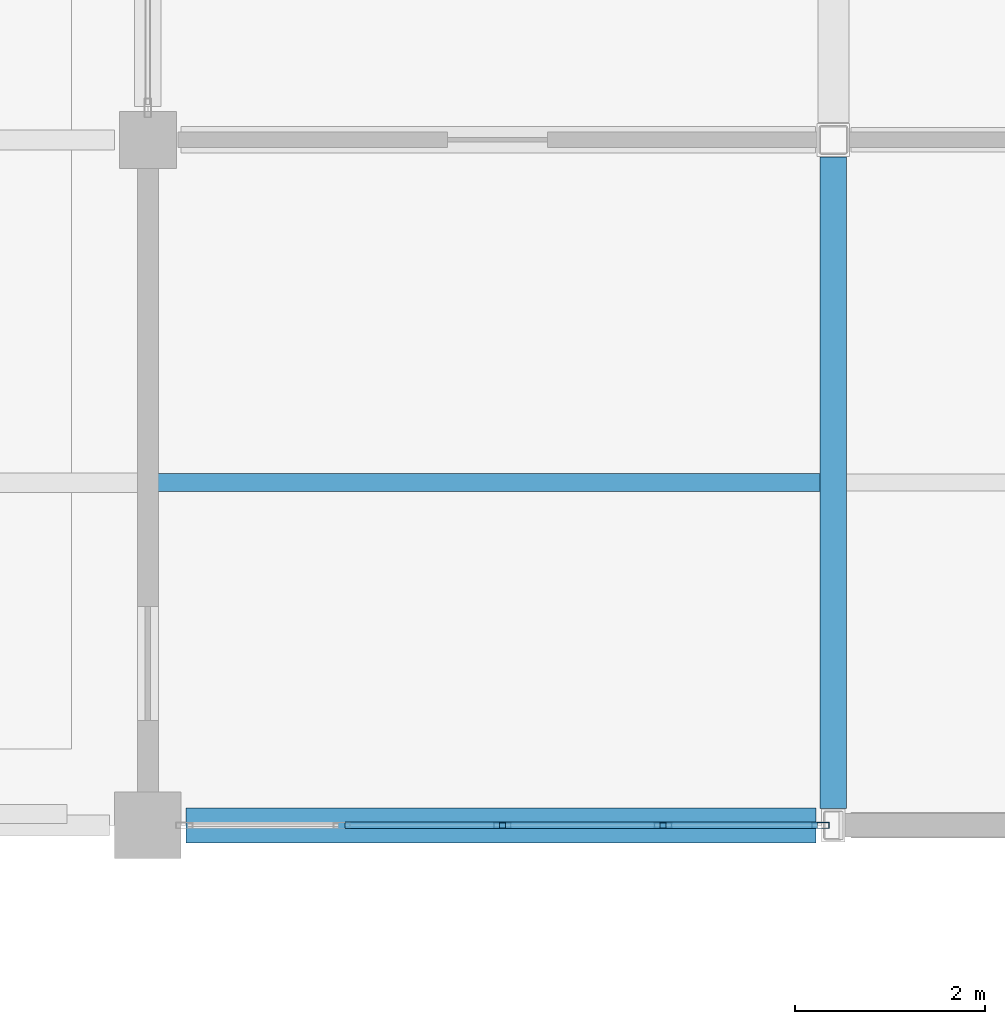
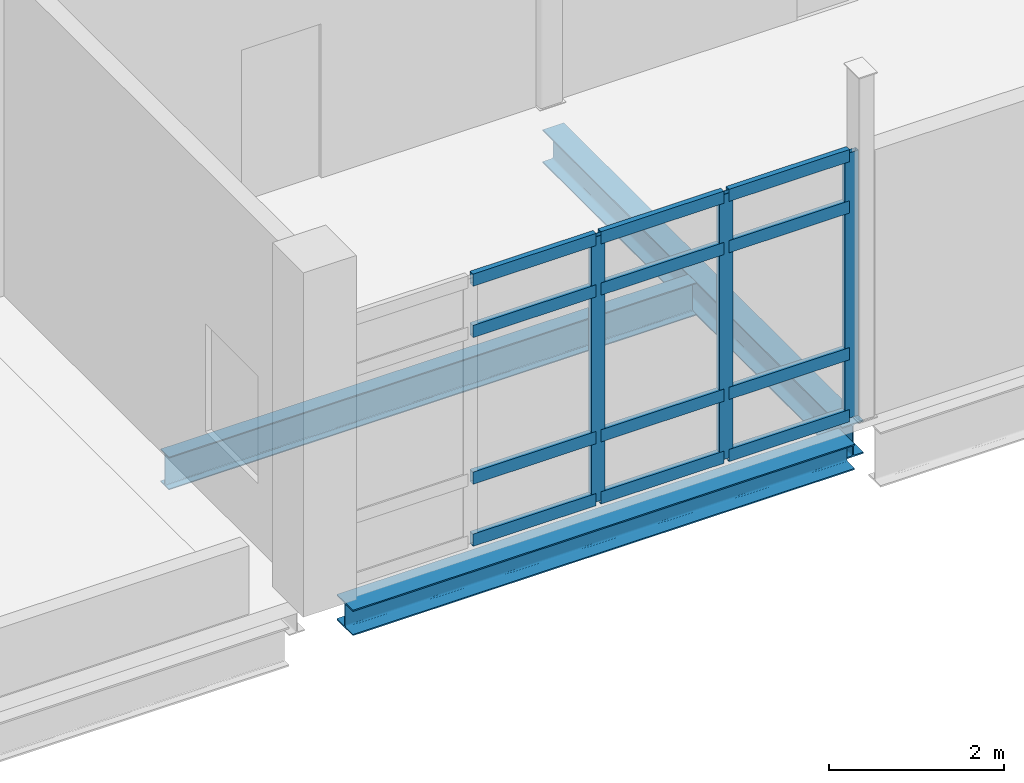
# One storey, part 58 of 153: 15 members, 3 beams, 1 element without a shape of its own.
"""IFC4 building model written with IfcOpenShell, lengths in metres."""

from ifc_helpers import new_model, si_unit, direction, frame, origin, origin_2d, place, context, subcontext, project, spatial, hollow_rectangle, i_section, extrude, material, layer, layer_set, material_profile, profile_set, type_object, element, aggregate, save


model = new_model("IFC4")

# Units and contexts
model_context = context("Model", 3, precision=1e-05, world=origin(), true_north=direction((0.0, 1.0)))
body_context = subcontext(model_context, "Body", "Model", "MODEL_VIEW")
ifc_project = project(units=[si_unit("LENGTHUNIT", "METRE"), si_unit("AREAUNIT", "SQUARE_METRE"), si_unit("VOLUMEUNIT", "CUBIC_METRE"), si_unit("PLANEANGLEUNIT", "RADIAN"), si_unit("MASSUNIT", "GRAM", prefix="KILO")], contexts=[model_context])

# Site, building, storey
site_placement = place(None, origin())
site = spatial("IfcSite", under=ifc_project, at=site_placement, CompositionType="ELEMENT")
building_placement = place(site_placement, origin())
building = spatial("IfcBuilding", under=site, at=building_placement, Name="Calvrana Isthmian Art Gallery", CompositionType="ELEMENT")
storey_placement = place(building_placement, frame((0.0, 0.0, 10.199951171875)))
storey = spatial("IfcBuildingStorey", under=building, at=storey_placement, Name="L02", CompositionType="ELEMENT", Elevation=10.199951171875)

# Beams
ifc_material_1 = material(Name="Steel ASTM A992 Gr 50", Category="steel")
ifc_material_profile_1 = material_profile(ifc_material_1, i_section(OverallWidth=0.279052734375, OverallDepth=0.4619140625, WebThickness=0.0107421875, FlangeThickness=0.017333984375, FilletRadius=0.02001953125, at=origin_2d()), Name="W18X76")
ifc_profile_set_1 = profile_set([ifc_material_profile_1], Name="Steel ASTM A992 Gr 50")
beam_type_1 = type_object("IfcBeamType", Name="BM-G-W18X76", PredefinedType="BEAM", material=ifc_profile_set_1)
beam_1_placement = place(storey_placement, frame((21.60009765625, 98.577880859375, -0.495849609375), z_axis=(0.0, 1.0, 0.0), x_axis=(-1.0, 0.0, 0.0)))
element("IfcBeam", 1, at=beam_1_placement, inside=storey, type_object=beam_type_1, Name="Girder Y L02 04/N-O", PredefinedType="BEAM", context=body_context, shape_type="SweptSolid", body=[
    extrude(i_section(OverallWidth=0.279052734375, OverallDepth=0.4619140625, WebThickness=0.0107421875, FlangeThickness=0.017333984375, FilletRadius=0.02001953125, at=origin_2d()), origin(), (0.0, 0.0, 1.0), 6.840576171875),
])
ifc_material_profile_2 = material_profile(ifc_material_1, i_section(OverallWidth=0.19091796875, OverallDepth=0.45703125, WebThickness=0.009033203125, FlangeThickness=0.014404296875, FilletRadius=0.02001953125, at=origin_2d()), Name="W18X50")
ifc_profile_set_2 = profile_set([ifc_material_profile_2], Name="Steel ASTM A992 Gr 50")
beam_type_2 = type_object("IfcBeamType", Name="BM-J-W18X50", PredefinedType="JOIST", material=ifc_profile_set_2)
beam_2_placement = place(storey_placement, frame((14.50439453125, 102.0, -0.493408203125), z_axis=(1.0, 0.0, 0.0), x_axis=(0.0, 1.0, 0.0)))
element("IfcBeam", 2, at=beam_2_placement, inside=storey, type_object=beam_type_2, Name="Composite joist L02 bay 02-13", PredefinedType="JOIST", context=body_context, shape_type="SweptSolid", body=[
    extrude(i_section(OverallWidth=0.19091796875, OverallDepth=0.45703125, WebThickness=0.009033203125, FlangeThickness=0.014404296875, FilletRadius=0.02001953125, at=origin_2d()), origin(), (0.0, 0.0, 1.0), 6.9560546875),
])
ifc_material_profile_3 = material_profile(ifc_material_1, i_section(OverallWidth=0.367919921875, OverallDepth=0.35595703125, WebThickness=0.01123046875, FlangeThickness=0.01806640625, FilletRadius=0.02490234375, at=origin_2d()), Name="W14X90")
ifc_profile_set_3 = profile_set([ifc_material_profile_3], Name="Steel ASTM A992 Gr 50")
beam_type_3 = type_object("IfcBeamType", Name="BM-SP-W14X90", PredefinedType="SPANDREL", material=ifc_profile_set_3)
beam_3_placement = place(storey_placement, frame((14.800048828125, 98.39990234375, -0.44287109375), z_axis=(1.0, 0.0, 0.0), x_axis=(0.0, 1.0, 0.0)))
element("IfcBeam", 3, at=beam_3_placement, inside=storey, type_object=beam_type_3, Name="Girder X L02 03-04/N", PredefinedType="SPANDREL", context=body_context, shape_type="SweptSolid", body=[
    extrude(i_section(OverallWidth=0.367919921875, OverallDepth=0.35595703125, WebThickness=0.01123046875, FlangeThickness=0.01806640625, FilletRadius=0.02490234375, at=origin_2d()), origin(), (0.0, 0.0, 1.0), 6.615966796875),
])

# Curtain wall, members
ifc_material_2 = material(Name="Anodized bronze aluminium 6063-T6", Category="aluminium")
ifc_layer = layer(ifc_material_2, 0.179931640625, Name="Anodized bronze aluminium 6063-T6")
ifc_layer_set = layer_set([ifc_layer], Name="Anodized bronze aluminium 6063-T6")
curtain_wall_type = type_object("IfcCurtainWallType", Name="CW-UNIT-067X37", PredefinedType="USERDEFINED", material=ifc_layer_set)
curtain_wall_placement = place(storey_placement, origin())
curtain_wall = element("IfcCurtainWall", 4, at=curtain_wall_placement, inside=storey, type_object=curtain_wall_type, Name="Curtain wall CW-158", ObjectType="UNITISED CURTAIN WALL", PredefinedType="USERDEFINED")
ifc_material_profile_4 = material_profile(ifc_material_2, hollow_rectangle(XDim=0.06494140625, YDim=0.179931640625, WallThickness=0.00439453125, at=origin_2d()), Name="CWM65X180")
ifc_profile_set_4 = profile_set([ifc_material_profile_4], Name="Anodized bronze aluminium 6063-T6")
member_type_1 = type_object("IfcMemberType", Name="CWM-CWM65X180", PredefinedType="MULLION", material=ifc_profile_set_4)
member_1_placement = place(storey_placement, frame((21.4658203125, 98.39990234375, 0.0), z_axis=(0.0, 0.0, 1.0), x_axis=(0.0, -1.0, 0.0)))
member_1 = element("IfcMember", 5, at=member_1_placement, type_object=member_type_1, Name="CW-158 mullion 1", PredefinedType="MULLION", context=body_context, shape_type="SweptSolid", body=[
    extrude(hollow_rectangle(XDim=0.06494140625, YDim=0.179931640625, WallThickness=0.00439453125, at=origin_2d()), origin(), (0.0, 0.0, 1.0), 3.695068359375),
])
member_2_placement = place(storey_placement, frame((19.811279296875, 98.39990234375, 0.0), z_axis=(0.0, 0.0, 1.0), x_axis=(0.0, -1.0, 0.0)))
member_2 = element("IfcMember", 6, at=member_2_placement, type_object=member_type_1, Name="CW-158 mullion 2", PredefinedType="MULLION", context=body_context, shape_type="SweptSolid", body=[
    extrude(hollow_rectangle(XDim=0.06494140625, YDim=0.179931640625, WallThickness=0.00439453125, at=origin_2d()), origin(), (0.0, 0.0, 1.0), 3.695068359375),
])
member_3_placement = place(storey_placement, frame((18.124267578125, 98.39990234375, 0.0), z_axis=(0.0, 0.0, 1.0), x_axis=(0.0, -1.0, 0.0)))
member_3 = element("IfcMember", 7, at=member_3_placement, type_object=member_type_1, Name="CW-158 mullion 3", PredefinedType="MULLION", context=body_context, shape_type="SweptSolid", body=[
    extrude(hollow_rectangle(XDim=0.06494140625, YDim=0.179931640625, WallThickness=0.00439453125, at=origin_2d()), origin(), (0.0, 0.0, 1.0), 3.695068359375),
])
ifc_material_profile_5 = material_profile(ifc_material_2, hollow_rectangle(XDim=0.070068359375, YDim=0.169921875, WallThickness=0.00439453125, at=origin_2d()), Name="CWT70X170")
ifc_profile_set_5 = profile_set([ifc_material_profile_5], Name="Anodized bronze aluminium 6063-T6")
member_type_2 = type_object("IfcMemberType", Name="CWT-CWT70X170", PredefinedType="USERDEFINED", material=ifc_profile_set_5)
member_4_placement = place(storey_placement, frame((21.433349609375, 98.39990234375, 0.03515625), z_axis=(-1.0, 0.0, 0.0), x_axis=(0.0, -1.0, 0.0)))
member_4 = element("IfcMember", 8, at=member_4_placement, type_object=member_type_2, Name="CW-158 transom 1.1", ObjectType="TRANSOM", PredefinedType="USERDEFINED", context=body_context, shape_type="SweptSolid", body=[
    extrude(hollow_rectangle(XDim=0.070068359375, YDim=0.169921875, WallThickness=0.00439453125, at=origin_2d()), origin(), (0.0, 0.0, 1.0), 1.589599609375),
])
member_5_placement = place(storey_placement, frame((21.433349609375, 98.39990234375, 0.900146484375), z_axis=(-1.0, 0.0, 0.0), x_axis=(0.0, -1.0, 0.0)))
member_5 = element("IfcMember", 9, at=member_5_placement, type_object=member_type_2, Name="CW-158 transom 1.2", ObjectType="TRANSOM", PredefinedType="USERDEFINED", context=body_context, shape_type="SweptSolid", body=[
    extrude(hollow_rectangle(XDim=0.070068359375, YDim=0.169921875, WallThickness=0.00439453125, at=origin_2d()), origin(), (0.0, 0.0, 1.0), 1.589599609375),
])
member_6_placement = place(storey_placement, frame((21.433349609375, 98.39990234375, 2.945068359375), z_axis=(-1.0, 0.0, 0.0), x_axis=(0.0, -1.0, 0.0)))
member_6 = element("IfcMember", 10, at=member_6_placement, type_object=member_type_2, Name="CW-158 transom 1.3", ObjectType="TRANSOM", PredefinedType="USERDEFINED", context=body_context, shape_type="SweptSolid", body=[
    extrude(hollow_rectangle(XDim=0.070068359375, YDim=0.169921875, WallThickness=0.00439453125, at=origin_2d()), origin(), (0.0, 0.0, 1.0), 1.589599609375),
])
member_7_placement = place(storey_placement, frame((21.433349609375, 98.39990234375, 3.66015625), z_axis=(-1.0, 0.0, 0.0), x_axis=(0.0, -1.0, 0.0)))
member_7 = element("IfcMember", 11, at=member_7_placement, type_object=member_type_2, Name="CW-158 transom 1.4", ObjectType="TRANSOM", PredefinedType="USERDEFINED", context=body_context, shape_type="SweptSolid", body=[
    extrude(hollow_rectangle(XDim=0.070068359375, YDim=0.169921875, WallThickness=0.00439453125, at=origin_2d()), origin(), (0.0, 0.0, 1.0), 1.589599609375),
])
member_8_placement = place(storey_placement, frame((19.77880859375, 98.39990234375, 0.03515625), z_axis=(-1.0, 0.0, 0.0), x_axis=(0.0, -1.0, 0.0)))
member_8 = element("IfcMember", 12, at=member_8_placement, type_object=member_type_2, Name="CW-158 transom 2.1", ObjectType="TRANSOM", PredefinedType="USERDEFINED", context=body_context, shape_type="SweptSolid", body=[
    extrude(hollow_rectangle(XDim=0.070068359375, YDim=0.169921875, WallThickness=0.00439453125, at=origin_2d()), origin(), (0.0, 0.0, 1.0), 1.6220703125),
])
member_9_placement = place(storey_placement, frame((19.77880859375, 98.39990234375, 0.900146484375), z_axis=(-1.0, 0.0, 0.0), x_axis=(0.0, -1.0, 0.0)))
member_9 = element("IfcMember", 13, at=member_9_placement, type_object=member_type_2, Name="CW-158 transom 2.2", ObjectType="TRANSOM", PredefinedType="USERDEFINED", context=body_context, shape_type="SweptSolid", body=[
    extrude(hollow_rectangle(XDim=0.070068359375, YDim=0.169921875, WallThickness=0.00439453125, at=origin_2d()), origin(), (0.0, 0.0, 1.0), 1.6220703125),
])
member_10_placement = place(storey_placement, frame((19.77880859375, 98.39990234375, 2.945068359375), z_axis=(-1.0, 0.0, 0.0), x_axis=(0.0, -1.0, 0.0)))
member_10 = element("IfcMember", 14, at=member_10_placement, type_object=member_type_2, Name="CW-158 transom 2.3", ObjectType="TRANSOM", PredefinedType="USERDEFINED", context=body_context, shape_type="SweptSolid", body=[
    extrude(hollow_rectangle(XDim=0.070068359375, YDim=0.169921875, WallThickness=0.00439453125, at=origin_2d()), origin(), (0.0, 0.0, 1.0), 1.6220703125),
])
member_11_placement = place(storey_placement, frame((19.77880859375, 98.39990234375, 3.66015625), z_axis=(-1.0, 0.0, 0.0), x_axis=(0.0, -1.0, 0.0)))
member_11 = element("IfcMember", 15, at=member_11_placement, type_object=member_type_2, Name="CW-158 transom 2.4", ObjectType="TRANSOM", PredefinedType="USERDEFINED", context=body_context, shape_type="SweptSolid", body=[
    extrude(hollow_rectangle(XDim=0.070068359375, YDim=0.169921875, WallThickness=0.00439453125, at=origin_2d()), origin(), (0.0, 0.0, 1.0), 1.6220703125),
])
member_12_placement = place(storey_placement, frame((18.091796875, 98.39990234375, 0.03515625), z_axis=(-1.0, 0.0, 0.0), x_axis=(0.0, -1.0, 0.0)))
member_12 = element("IfcMember", 16, at=member_12_placement, type_object=member_type_2, Name="CW-158 transom 3.1", ObjectType="TRANSOM", PredefinedType="USERDEFINED", context=body_context, shape_type="SweptSolid", body=[
    extrude(hollow_rectangle(XDim=0.070068359375, YDim=0.169921875, WallThickness=0.00439453125, at=origin_2d()), origin(), (0.0, 0.0, 1.0), 1.622314453125),
])
member_13_placement = place(storey_placement, frame((18.091796875, 98.39990234375, 0.900146484375), z_axis=(-1.0, 0.0, 0.0), x_axis=(0.0, -1.0, 0.0)))
member_13 = element("IfcMember", 17, at=member_13_placement, type_object=member_type_2, Name="CW-158 transom 3.2", ObjectType="TRANSOM", PredefinedType="USERDEFINED", context=body_context, shape_type="SweptSolid", body=[
    extrude(hollow_rectangle(XDim=0.070068359375, YDim=0.169921875, WallThickness=0.00439453125, at=origin_2d()), origin(), (0.0, 0.0, 1.0), 1.622314453125),
])
member_14_placement = place(storey_placement, frame((18.091796875, 98.39990234375, 2.945068359375), z_axis=(-1.0, 0.0, 0.0), x_axis=(0.0, -1.0, 0.0)))
member_14 = element("IfcMember", 18, at=member_14_placement, type_object=member_type_2, Name="CW-158 transom 3.3", ObjectType="TRANSOM", PredefinedType="USERDEFINED", context=body_context, shape_type="SweptSolid", body=[
    extrude(hollow_rectangle(XDim=0.070068359375, YDim=0.169921875, WallThickness=0.00439453125, at=origin_2d()), origin(), (0.0, 0.0, 1.0), 1.622314453125),
])
member_15_placement = place(storey_placement, frame((18.091796875, 98.39990234375, 3.66015625), z_axis=(-1.0, 0.0, 0.0), x_axis=(0.0, -1.0, 0.0)))
member_15 = element("IfcMember", 19, at=member_15_placement, type_object=member_type_2, Name="CW-158 transom 3.4", ObjectType="TRANSOM", PredefinedType="USERDEFINED", context=body_context, shape_type="SweptSolid", body=[
    extrude(hollow_rectangle(XDim=0.070068359375, YDim=0.169921875, WallThickness=0.00439453125, at=origin_2d()), origin(), (0.0, 0.0, 1.0), 1.622314453125),
])
aggregate(curtain_wall, [member_1, member_2, member_3, member_4, member_5, member_6, member_7, member_8, member_9, member_10, member_11, member_12, member_13, member_14, member_15])

save(model, "model.ifc")
